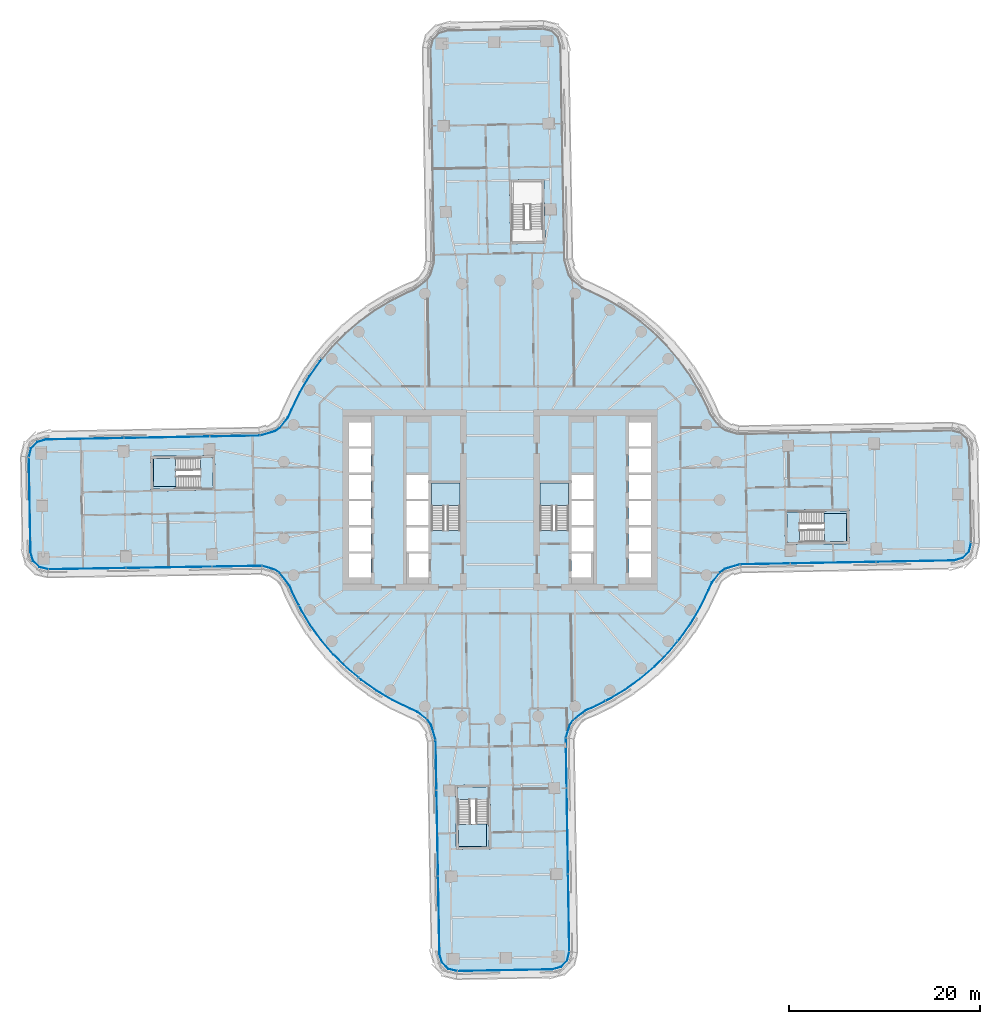
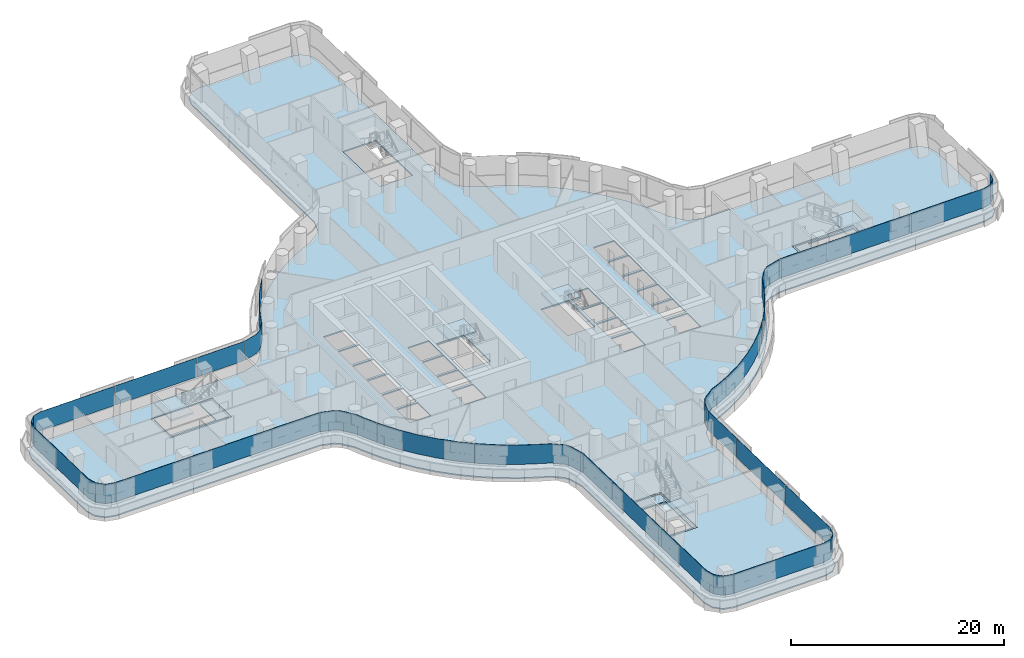
# One storey, part 17 of 31: 24 plates, 9 slabs, 15 elements without a shape of their own.
"""IFC4 building model written with IfcOpenShell, lengths in metres."""

from ifc_helpers import new_model, si_unit, direction, frame, origin, place, context, subcontext, project, spatial, polyline, outline, extrude, material, layer, layer_set, type_object, element, aggregate, save


model = new_model("IFC4")

# Units and contexts
model_context = context("Model", 3, precision=1e-05, world=origin(), true_north=direction((0.0, 1.0)))
body_context = subcontext(model_context, "Body", "Model", "MODEL_VIEW")
ifc_project = project(units=[si_unit("LENGTHUNIT", "METRE"), si_unit("AREAUNIT", "SQUARE_METRE"), si_unit("VOLUMEUNIT", "CUBIC_METRE"), si_unit("PLANEANGLEUNIT", "RADIAN"), si_unit("MASSUNIT", "GRAM", prefix="KILO")], contexts=[model_context])

# Site, building, storey
site_placement = place(None, origin())
site = spatial("IfcSite", under=ifc_project, at=site_placement, CompositionType="ELEMENT")
building_placement = place(site_placement, origin())
building = spatial("IfcBuilding", under=site, at=building_placement, Name="Tamarind Cross Interchange Tower", CompositionType="ELEMENT")
storey_placement = place(building_placement, frame((0.0, 0.0, 37.75)))
storey = spatial("IfcBuildingStorey", under=building, at=storey_placement, Name="L07", CompositionType="ELEMENT", Elevation=37.75)

# Slabs
ifc_material_1 = material(Name="Concrete C35", Category="concrete")
ifc_layer_1 = layer(ifc_material_1, 0.139892578125)
ifc_layer_set_1 = layer_set([ifc_layer_1], Name="Concrete C35")
slab_type_1 = type_object("IfcSlabType", Name="Composite slab 140 Concrete C35", PredefinedType="FLOOR", material=ifc_layer_set_1)
slab_1_placement = place(storey_placement, frame((0.0, 0.0, -0.139892578125)))
element("IfcSlab", 1, at=slab_1_placement, inside=storey, type_object=slab_type_1, Name="Floor slab L07", PredefinedType="FLOOR", context=body_context, shape_type="SweptSolid", body=[
    extrude(outline(polyline([(7.392333984375, 23.647705078125), (6.943359375, 25.173095703125), (6.53466796875, 47.576416015625), (6.24853515625, 48.5712890625), (5.50341796875, 49.289794921875), (4.49853515625, 49.53955078125), (-5.499755859375, 49.357177734375), (-6.49462890625, 49.071044921875), (-7.21337890625, 48.32568359375), (-7.462890625, 47.321044921875), (-7.1005859375, 24.94482421875), (-7.478271484375, 23.660888671875), (-7.8037109375, 23.1748046875), (-9.1083984375, 22.186279296875), (-9.7333984375, 21.93310546875), (-11.511474609375, 21.054443359375), (-13.2109375, 20.031982421875), (-14.820068359375, 18.87255859375), (-16.327880859375, 17.584228515625), (-17.72412109375, 16.17578125), (-18.99951171875, 14.656982421875), (-20.14501953125, 13.0380859375), (-21.15283203125, 11.329833984375), (-22.01611328125, 9.54443359375), (-22.376708984375, 8.73876953125), (-23.18115234375, 7.717529296875), (-23.647705078125, 7.392333984375), (-25.173095703125, 6.943359375), (-47.576416015625, 6.53466796875), (-48.5712890625, 6.24853515625), (-49.289794921875, 5.50341796875), (-49.53955078125, 4.49853515625), (-49.357177734375, -5.499755859375), (-49.071044921875, -6.49462890625), (-48.32568359375, -7.21337890625), (-47.321044921875, -7.462890625), (-24.94482421875, -7.1005859375), (-23.660888671875, -7.478271484375), (-23.1748046875, -7.8037109375), (-22.186279296875, -9.1083984375), (-21.93310546875, -9.7333984375), (-21.054443359375, -11.511474609375), (-20.031982421875, -13.2109375), (-18.87255859375, -14.820068359375), (-17.584228515625, -16.327880859375), (-16.17578125, -17.72412109375), (-14.656982421875, -18.99951171875), (-13.0380859375, -20.14501953125), (-11.329833984375, -21.15283203125), (-9.54443359375, -22.01611328125), (-8.73876953125, -22.376708984375), (-7.717529296875, -23.18115234375), (-7.392333984375, -23.647705078125), (-6.943359375, -25.173095703125), (-6.53466796875, -47.576416015625), (-6.24853515625, -48.5712890625), (-5.50341796875, -49.289794921875), (-4.49853515625, -49.53955078125), (5.499755859375, -49.357177734375), (6.49462890625, -49.071044921875), (7.21337890625, -48.32568359375), (7.462890625, -47.321044921875), (7.1005859375, -24.94482421875), (7.478271484375, -23.660888671875), (7.8037109375, -23.1748046875), (9.1083984375, -22.186279296875), (9.7333984375, -21.93310546875), (11.511474609375, -21.054443359375), (13.2109375, -20.031982421875), (14.820068359375, -18.87255859375), (16.327880859375, -17.584228515625), (17.72412109375, -16.17578125), (18.99951171875, -14.656982421875), (20.14501953125, -13.0380859375), (21.15283203125, -11.329833984375), (22.01611328125, -9.54443359375), (22.376708984375, -8.73876953125), (23.18115234375, -7.717529296875), (23.647705078125, -7.392333984375), (25.173095703125, -6.943359375), (47.576416015625, -6.53466796875), (48.5712890625, -6.24853515625), (49.289794921875, -5.50341796875), (49.53955078125, -4.49853515625), (49.357177734375, 5.499755859375), (49.071044921875, 6.49462890625), (48.32568359375, 7.21337890625), (47.321044921875, 7.462890625), (24.94482421875, 7.1005859375), (23.660888671875, 7.478271484375), (23.1748046875, 7.8037109375), (22.186279296875, 9.1083984375), (21.93310546875, 9.7333984375), (21.054443359375, 11.511474609375), (20.031982421875, 13.2109375), (18.87255859375, 14.820068359375), (17.584228515625, 16.327880859375), (16.17578125, 17.72412109375), (14.656982421875, 18.99951171875), (13.0380859375, 20.14501953125), (11.329833984375, 21.15283203125), (9.54443359375, 22.01611328125), (8.73876953125, 22.376708984375), (7.717529296875, 23.18115234375), (7.392333984375, 23.647705078125)]), holes=[polyline([(-13.5, -8.125), (-15.800048828125, -8.125), (-15.800048828125, -5.625), (-13.5, -5.625), (-13.5, -8.125)]), polyline([(-13.5, -5.375), (-15.800048828125, -5.375), (-15.800048828125, -2.875), (-13.5, -2.875), (-13.5, -5.375)]), polyline([(-7.5, -5.375), (-9.800048828125, -5.375), (-9.800048828125, -2.875), (-7.5, -2.875), (-7.5, -5.375)]), polyline([(-15.800048828125, -2.625), (-15.800048828125, -0.125), (-13.5, -0.125), (-13.5, -2.625), (-15.800048828125, -2.625)]), polyline([(-9.800048828125, -2.625), (-9.800048828125, -0.125), (-7.5, -0.125), (-7.5, -2.625), (-9.800048828125, -2.625)]), polyline([(-36.51953125, 0.935302734375), (-36.523193359375, 1.135498046875), (-36.58154296875, 4.334716796875), (-36.585205078125, 4.534912109375), (-36.300048828125, 4.5400390625), (-36.300048828125, 4.60009765625), (-33.01025390625, 4.60009765625), (-29.88623046875, 4.656982421875), (-29.882568359375, 4.45703125), (-29.82421875, 1.257568359375), (-29.820556640625, 1.0576171875), (-36.51953125, 0.935302734375)]), polyline([(-13.5, 0.125), (-15.800048828125, 0.125), (-15.800048828125, 2.625), (-13.5, 2.625), (-13.5, 0.125)]), polyline([(-7.5, 0.125), (-9.800048828125, 0.125), (-9.800048828125, 2.625), (-7.5, 2.625), (-7.5, 0.125)]), polyline([(-13.5, 2.875), (-15.800048828125, 2.875), (-15.800048828125, 5.375), (-13.5, 5.375), (-13.5, 2.875)]), polyline([(-15.800048828125, 5.625), (-15.800048828125, 8.125), (-13.5, 8.125), (-13.5, 5.625), (-15.800048828125, 5.625)]), polyline([(-0.935302734375, -36.51953125), (-1.135498046875, -36.523193359375), (-4.334716796875, -36.58154296875), (-4.534912109375, -36.585205078125), (-4.5400390625, -36.300048828125), (-4.60009765625, -36.300048828125), (-4.60009765625, -33.01025390625), (-4.656982421875, -29.88623046875), (-4.45703125, -29.882568359375), (-1.257568359375, -29.82421875), (-1.0576171875, -29.820556640625), (-0.935302734375, -36.51953125)]), polyline([(-9.800048828125, -8.125), (-9.800048828125, -5.625), (-7.5, -5.625), (-7.5, -8.125), (-9.800048828125, -8.125)]), polyline([(9.800048828125, -2.875), (9.800048828125, -5.375), (7.5, -5.375), (7.5, -2.875), (9.800048828125, -2.875)]), polyline([(-4.199951171875, 1.800048828125), (-4.199951171875, -3.18798828125), (-7.14990234375, -3.18798828125), (-7.14990234375, 1.800048828125), (-4.199951171875, 1.800048828125)]), polyline([(7.14990234375, 1.800048828125), (7.14990234375, -3.18798828125), (4.199951171875, -3.18798828125), (4.199951171875, 1.800048828125), (7.14990234375, 1.800048828125)]), polyline([(4.711669921875, 26.88671875), (4.51171875, 26.883056640625), (1.312255859375, 26.82470703125), (1.1123046875, 26.821044921875), (0.989990234375, 33.52001953125), (1.190185546875, 33.523681640625), (4.389404296875, 33.58203125), (4.589599609375, 33.585693359375), (4.5947265625, 33.300048828125), (4.60009765625, 33.300048828125), (4.60009765625, 33.01025390625), (4.711669921875, 26.88671875)]), polyline([(7.5, -5.625), (9.800048828125, -5.625), (9.800048828125, -8.125), (7.5, -8.125), (7.5, -5.625)]), polyline([(15.800048828125, -5.625), (15.800048828125, -8.125), (13.5, -8.125), (13.5, -5.625), (15.800048828125, -5.625)]), polyline([(33.01025390625, -4.60009765625), (29.88623046875, -4.656982421875), (29.882568359375, -4.45703125), (29.82421875, -1.257568359375), (29.820556640625, -1.0576171875), (36.51953125, -0.935302734375), (36.523193359375, -1.135498046875), (36.58154296875, -4.334716796875), (36.585205078125, -4.534912109375), (36.300048828125, -4.5400390625), (36.300048828125, -4.60009765625), (33.01025390625, -4.60009765625)]), polyline([(13.5, -2.875), (15.800048828125, -2.875), (15.800048828125, -5.375), (13.5, -5.375), (13.5, -2.875)]), polyline([(9.800048828125, -0.125), (9.800048828125, -2.625), (7.5, -2.625), (7.5, -0.125), (9.800048828125, -0.125)]), polyline([(13.5, -0.125), (15.800048828125, -0.125), (15.800048828125, -2.625), (13.5, -2.625), (13.5, -0.125)]), polyline([(9.800048828125, 2.625), (9.800048828125, 0.125), (7.5, 0.125), (7.5, 2.625), (9.800048828125, 2.625)]), polyline([(13.5, 2.625), (15.800048828125, 2.625), (15.800048828125, 0.125), (13.5, 0.125), (13.5, 2.625)]), polyline([(15.800048828125, 5.375), (15.800048828125, 2.875), (13.5, 2.875), (13.5, 5.375), (15.800048828125, 5.375)]), polyline([(15.800048828125, 8.125), (15.800048828125, 5.625), (13.5, 5.625), (13.5, 8.125), (15.800048828125, 8.125)])]), origin(), (0.0, 0.0, 1.0), 0.139892578125),
])
slab_2_placement = place(storey_placement, frame((0.0, 0.0, -0.139892578125)))
element("IfcSlab", 2, at=slab_2_placement, inside=storey, type_object=slab_type_1, Name="Floor slab L07", PredefinedType="FLOOR", context=body_context, shape_type="SweptSolid", body=[
    extrude(outline(polyline([(-36.300048828125, 1.39990234375), (-36.300048828125, 4.340087890625), (-36.381591796875, 4.33837890625), (-36.3232421875, 1.138916015625), (-30.024169921875, 1.25390625), (-30.08251953125, 4.453369140625), (-31.31201171875, 4.430908203125), (-31.394287109375, 4.429443359375), (-31.339111328125, 1.39990234375), (-36.300048828125, 1.39990234375)])), origin(), (0.0, 0.0, 1.0), 0.139892578125),
])
slab_3_placement = place(storey_placement, frame((0.0, 0.0, -0.139892578125)))
element("IfcSlab", 3, at=slab_3_placement, inside=storey, type_object=slab_type_1, Name="Floor slab L07", PredefinedType="FLOOR", context=body_context, shape_type="SweptSolid", body=[
    extrude(outline(polyline([(-4.33837890625, -36.381591796875), (-1.138916015625, -36.3232421875), (-1.25390625, -30.024169921875), (-4.453369140625, -30.08251953125), (-4.430908203125, -31.31201171875), (-4.429443359375, -31.394287109375), (-1.39990234375, -31.339111328125), (-1.39990234375, -36.300048828125), (-4.340087890625, -36.300048828125), (-4.33837890625, -36.381591796875)])), origin(), (0.0, 0.0, 1.0), 0.139892578125),
])
slab_4_placement = place(storey_placement, frame((0.0, 0.0, -0.139892578125)))
element("IfcSlab", 4, at=slab_4_placement, inside=storey, type_object=slab_type_1, Name="Floor slab L07", PredefinedType="FLOOR", context=body_context, shape_type="SweptSolid", body=[
    extrude(outline(polyline([(36.300048828125, -1.39990234375), (36.300048828125, -4.340087890625), (36.381591796875, -4.33837890625), (36.3232421875, -1.138916015625), (30.024169921875, -1.25390625), (30.08251953125, -4.453369140625), (31.31201171875, -4.430908203125), (31.394287109375, -4.429443359375), (31.339111328125, -1.39990234375), (36.300048828125, -1.39990234375)])), origin(), (0.0, 0.0, 1.0), 0.139892578125),
])

# Stair, slab
ifc_material_2 = material(Name="Exit stair")
stair_type = type_object("IfcStairType", Name="Exit stair", PredefinedType="HALF_TURN_STAIR", material=ifc_material_2)
stair_1_placement = place(storey_placement, origin())
stair_1 = element("IfcStair", 5, at=stair_1_placement, inside=storey, type_object=stair_type, Name="L07 exit stair ST1", PredefinedType="HALF_TURN_STAIR")
ifc_material_3 = material(Name="Concrete C40", Category="concrete")
ifc_layer_2 = layer(ifc_material_3, 0.199951171875)
ifc_layer_set_2 = layer_set([ifc_layer_2], Name="Concrete C40")
slab_type_2 = type_object("IfcSlabType", Name="Stair landing", PredefinedType="LANDING", material=ifc_layer_set_2)
slab_5_placement = place(storey_placement, frame((0.0, 0.0, 1.675048828125)))
slab_5 = element("IfcSlab", 6, at=slab_5_placement, type_object=slab_type_2, Name="ST1 landing 1", PredefinedType="LANDING", context=body_context, shape_type="SweptSolid", body=[
    extrude(outline(polyline([(-4.199951171875, -0.60009765625), (-4.199951171875, 1.800048828125), (-7.14990234375, 1.800048828125), (-7.14990234375, -0.60009765625), (-4.199951171875, -0.60009765625)])), origin(), (0.0, 0.0, 1.0), 0.199951171875),
])
aggregate(stair_1, [slab_5])

stair_2_placement = place(storey_placement, origin())
stair_2 = element("IfcStair", 7, at=stair_2_placement, inside=storey, type_object=stair_type, Name="L07 exit stair ST2", PredefinedType="HALF_TURN_STAIR")
slab_6_placement = place(storey_placement, frame((0.0, 0.0, 1.675048828125)))
slab_6 = element("IfcSlab", 8, at=slab_6_placement, type_object=slab_type_2, Name="ST2 landing 1", PredefinedType="LANDING", context=body_context, shape_type="SweptSolid", body=[
    extrude(outline(polyline([(7.14990234375, -0.60009765625), (7.14990234375, 1.800048828125), (4.199951171875, 1.800048828125), (4.199951171875, -0.60009765625), (7.14990234375, -0.60009765625)])), origin(), (0.0, 0.0, 1.0), 0.199951171875),
])
aggregate(stair_2, [slab_6])

stair_3_placement = place(storey_placement, origin())
stair_3 = element("IfcStair", 9, at=stair_3_placement, inside=storey, type_object=stair_type, Name="L07 exit stair ST3", PredefinedType="HALF_TURN_STAIR")
slab_7_placement = place(storey_placement, frame((0.0, 0.0, 1.675048828125)))
slab_7 = element("IfcSlab", 10, at=slab_7_placement, type_object=slab_type_2, Name="ST3 landing 1", PredefinedType="LANDING", context=body_context, shape_type="SweptSolid", body=[
    extrude(outline(polyline([(33.969970703125, -4.382568359375), (36.381591796875, -4.33837890625), (36.3232421875, -1.138916015625), (33.91162109375, -1.18310546875), (33.969970703125, -4.382568359375)])), origin(), (0.0, 0.0, 1.0), 0.199951171875),
])
aggregate(stair_3, [slab_7])

stair_4_placement = place(storey_placement, origin())
stair_4 = element("IfcStair", 11, at=stair_4_placement, inside=storey, type_object=stair_type, Name="L07 exit stair ST5", PredefinedType="HALF_TURN_STAIR")
slab_8_placement = place(storey_placement, frame((0.0, 0.0, 1.675048828125)))
slab_8 = element("IfcSlab", 12, at=slab_8_placement, type_object=slab_type_2, Name="ST5 landing 1", PredefinedType="LANDING", context=body_context, shape_type="SweptSolid", body=[
    extrude(outline(polyline([(-33.969970703125, 4.382568359375), (-36.381591796875, 4.33837890625), (-36.3232421875, 1.138916015625), (-33.91162109375, 1.18310546875), (-33.969970703125, 4.382568359375)])), origin(), (0.0, 0.0, 1.0), 0.199951171875),
])
aggregate(stair_4, [slab_8])

stair_5_placement = place(storey_placement, origin())
stair_5 = element("IfcStair", 13, at=stair_5_placement, inside=storey, type_object=stair_type, Name="L07 exit stair ST6", PredefinedType="HALF_TURN_STAIR")
slab_9_placement = place(storey_placement, frame((0.0, 0.0, 1.675048828125)))
slab_9 = element("IfcSlab", 14, at=slab_9_placement, type_object=slab_type_2, Name="ST6 landing 1", PredefinedType="LANDING", context=body_context, shape_type="SweptSolid", body=[
    extrude(outline(polyline([(-4.382568359375, -33.969970703125), (-4.33837890625, -36.381591796875), (-1.138916015625, -36.3232421875), (-1.18310546875, -33.91162109375), (-4.382568359375, -33.969970703125)])), origin(), (0.0, 0.0, 1.0), 0.199951171875),
])
aggregate(stair_5, [slab_9])

# Curtain wall, plate
ifc_material_4 = material(Name="Aluminium 6063-T6", Category="aluminium")
ifc_layer_3 = layer(ifc_material_4, 0.159912109375)
ifc_layer_set_3 = layer_set([ifc_layer_3], Name="Aluminium 6063-T6")
curtain_wall_type = type_object("IfcCurtainWallType", Name="Office curtain wall, 9.0 m bays", PredefinedType="NOTDEFINED", material=ifc_layer_set_3)
curtain_wall_1_placement = place(storey_placement, origin())
curtain_wall_1 = element("IfcCurtainWall", 15, at=curtain_wall_1_placement, inside=storey, type_object=curtain_wall_type, Name="CWS-L07-02", PredefinedType="NOTDEFINED")
ifc_material_5 = material(Name="Laminated low-e glass 8+1.52+8", Category="glass")
ifc_layer_4 = layer(ifc_material_5, 0.028076171875)
ifc_layer_set_4 = layer_set([ifc_layer_4], Name="Laminated low-e glass 8+1.52+8")
plate_type = type_object("IfcPlateType", Name="Vision panel CW1", PredefinedType="CURTAIN_PANEL", material=ifc_layer_set_4)
plate_1_placement = place(storey_placement, frame((0.0, 0.0, 1.39990234375)))
plate_1 = element("IfcPlate", 16, at=plate_1_placement, type_object=plate_type, Name="CWP-L07-02-02", PredefinedType="CURTAIN_PANEL", context=body_context, shape_type="SweptSolid", body=[
    extrude(outline(polyline([(-18.639892578125, 14.75244140625), (-18.829833984375, 14.526123046875), (-19.965087890625, 12.921630859375), (-20.9638671875, 11.228759765625), (-21.822021484375, 9.4541015625), (-22.192138671875, 8.627197265625), (-23.03271484375, 7.56005859375), (-23.553955078125, 7.19677734375), (-25.109619140625, 6.73876953125), (-25.11767578125, 6.765625), (-23.56640625, 7.222412109375), (-23.052001953125, 7.580810546875), (-22.21630859375, 8.641845703125), (-21.847412109375, 9.4658203125), (-20.98876953125, 11.241943359375), (-19.988525390625, 12.936767578125), (-18.85205078125, 14.543212890625), (-18.6611328125, 14.7705078125), (-18.639892578125, 14.75244140625)])), origin(), (0.0, 0.0, 1.0), 2.210205078125),
])
aggregate(curtain_wall_1, [plate_1])

# Curtain wall, plates
curtain_wall_2_placement = place(storey_placement, origin())
curtain_wall_2 = element("IfcCurtainWall", 17, at=curtain_wall_2_placement, inside=storey, type_object=curtain_wall_type, Name="CWS-L07-03", PredefinedType="NOTDEFINED")
plate_2_placement = place(storey_placement, frame((0.0, 0.0, 1.39990234375)))
plate_2 = element("IfcPlate", 18, at=plate_2_placement, type_object=plate_type, Name="CWP-L07-03-00", PredefinedType="CURTAIN_PANEL", context=body_context, shape_type="SweptSolid", body=[
    extrude(outline(polyline([(-25.172119140625, 6.729248046875), (-30.365478515625, 6.634521484375), (-30.365966796875, 6.66259765625), (-25.172607421875, 6.75732421875), (-25.172119140625, 6.729248046875)])), origin(), (0.0, 0.0, 1.0), 2.210205078125),
])
plate_3_placement = place(storey_placement, frame((0.0, 0.0, 1.39990234375)))
plate_3 = element("IfcPlate", 19, at=plate_3_placement, type_object=plate_type, Name="CWP-L07-03-01", PredefinedType="CURTAIN_PANEL", context=body_context, shape_type="SweptSolid", body=[
    extrude(outline(polyline([(-30.425537109375, 6.633544921875), (-39.3642578125, 6.470458984375), (-39.36474609375, 6.49853515625), (-30.426025390625, 6.661376953125), (-30.425537109375, 6.633544921875)])), origin(), (0.0, 0.0, 1.0), 2.210205078125),
])
plate_4_placement = place(storey_placement, frame((0.0, 0.0, 1.39990234375)))
plate_4 = element("IfcPlate", 20, at=plate_4_placement, type_object=plate_type, Name="CWP-L07-03-02", PredefinedType="CURTAIN_PANEL", context=body_context, shape_type="SweptSolid", body=[
    extrude(outline(polyline([(-39.42431640625, 6.46923828125), (-47.544189453125, 6.3212890625), (-48.45703125, 6.058837890625), (-49.095947265625, 5.39599609375), (-49.318115234375, 4.501708984375), (-49.345458984375, 4.50830078125), (-49.121337890625, 5.41015625), (-48.471923828125, 6.08349609375), (-47.54833984375, 6.34912109375), (-39.4248046875, 6.497314453125), (-39.42431640625, 6.46923828125)])), origin(), (0.0, 0.0, 1.0), 2.210205078125),
])
aggregate(curtain_wall_2, [plate_2, plate_3, plate_4])

# Curtain wall, plate
curtain_wall_3_placement = place(storey_placement, origin())
curtain_wall_3 = element("IfcCurtainWall", 21, at=curtain_wall_3_placement, inside=storey, type_object=curtain_wall_type, Name="CWS-L07-04", PredefinedType="NOTDEFINED")
plate_5_placement = place(storey_placement, frame((0.0, 0.0, 1.39990234375)))
plate_5 = element("IfcPlate", 22, at=plate_5_placement, type_object=plate_type, Name="CWP-L07-04-00", PredefinedType="CURTAIN_PANEL", context=body_context, shape_type="SweptSolid", body=[
    extrude(outline(polyline([(-49.324462890625, 4.4462890625), (-49.1435546875, -5.4677734375), (-48.881103515625, -6.38037109375), (-48.218505859375, -7.01953125), (-47.32373046875, -7.24169921875), (-47.33056640625, -7.268798828125), (-48.232421875, -7.044677734375), (-48.906005859375, -6.3955078125), (-49.171630859375, -5.471923828125), (-49.3525390625, 4.445556640625), (-49.324462890625, 4.4462890625)])), origin(), (0.0, 0.0, 1.0), 2.210205078125),
])
aggregate(curtain_wall_3, [plate_5])

# Curtain wall, plates
curtain_wall_4_placement = place(storey_placement, origin())
curtain_wall_4 = element("IfcCurtainWall", 23, at=curtain_wall_4_placement, inside=storey, type_object=curtain_wall_type, Name="CWS-L07-05", PredefinedType="NOTDEFINED")
plate_6_placement = place(storey_placement, frame((0.0, 0.0, 1.39990234375)))
plate_6 = element("IfcPlate", 24, at=plate_6_placement, type_object=plate_type, Name="CWP-L07-05-00", PredefinedType="CURTAIN_PANEL", context=body_context, shape_type="SweptSolid", body=[
    extrude(outline(polyline([(-47.268310546875, -7.248046875), (-39.175048828125, -7.116943359375), (-39.174560546875, -7.14501953125), (-47.267822265625, -7.276123046875), (-47.268310546875, -7.248046875)])), origin(), (0.0, 0.0, 1.0), 2.210205078125),
])
plate_7_placement = place(storey_placement, frame((0.0, 0.0, 1.39990234375)))
plate_7 = element("IfcPlate", 25, at=plate_7_placement, type_object=plate_type, Name="CWP-L07-05-01", PredefinedType="CURTAIN_PANEL", context=body_context, shape_type="SweptSolid", body=[
    extrude(outline(polyline([(-39.114990234375, -7.115966796875), (-30.174560546875, -6.97119140625), (-30.174072265625, -6.999267578125), (-39.114501953125, -7.14404296875), (-39.114990234375, -7.115966796875)])), origin(), (0.0, 0.0, 1.0), 2.210205078125),
])
plate_8_placement = place(storey_placement, frame((0.0, 0.0, 1.39990234375)))
plate_8 = element("IfcPlate", 26, at=plate_8_placement, type_object=plate_type, Name="CWP-L07-05-02", PredefinedType="CURTAIN_PANEL", context=body_context, shape_type="SweptSolid", body=[
    extrude(outline(polyline([(-30.114501953125, -6.97021484375), (-24.947998046875, -6.886474609375), (-24.947509765625, -6.91455078125), (-30.114013671875, -6.998291015625), (-30.114501953125, -6.97021484375)])), origin(), (0.0, 0.0, 1.0), 2.210205078125),
])
aggregate(curtain_wall_4, [plate_6, plate_7, plate_8])

curtain_wall_5_placement = place(storey_placement, origin())
curtain_wall_5 = element("IfcCurtainWall", 27, at=curtain_wall_5_placement, inside=storey, type_object=curtain_wall_type, Name="CWS-L07-06", PredefinedType="NOTDEFINED")
plate_9_placement = place(storey_placement, frame((0.0, 0.0, 1.39990234375)))
plate_9 = element("IfcPlate", 28, at=plate_9_placement, type_object=plate_type, Name="CWP-L07-06-00", PredefinedType="CURTAIN_PANEL", context=body_context, shape_type="SweptSolid", body=[
    extrude(outline(polyline([(-24.885009765625, -6.89501953125), (-23.56884765625, -7.281982421875), (-23.02587890625, -7.64599609375), (-21.99853515625, -9.001953125), (-21.73779296875, -9.645751953125), (-21.0458984375, -11.045654296875), (-21.071044921875, -11.05810546875), (-21.763427734375, -9.6572265625), (-22.02294921875, -9.015869140625), (-23.04541015625, -7.66650390625), (-23.5810546875, -7.307861328125), (-24.892822265625, -6.921875), (-24.885009765625, -6.89501953125)])), origin(), (0.0, 0.0, 1.0), 2.210205078125),
])
plate_10_placement = place(storey_placement, frame((0.0, 0.0, 1.39990234375)))
plate_10 = element("IfcPlate", 29, at=plate_10_placement, type_object=plate_type, Name="CWP-L07-06-01", PredefinedType="CURTAIN_PANEL", context=body_context, shape_type="SweptSolid", body=[
    extrude(outline(polyline([(-21.019287109375, -11.099365234375), (-20.866455078125, -11.40869140625), (-19.85302734375, -13.093017578125), (-18.7041015625, -14.687744140625), (-17.42724609375, -16.18212890625), (-16.031494140625, -17.56591796875), (-14.798583984375, -18.601318359375), (-14.81640625, -18.62255859375), (-16.05029296875, -17.586669921875), (-17.44775390625, -16.201171875), (-18.72607421875, -14.705078125), (-19.87646484375, -13.1083984375), (-20.89111328125, -11.422119140625), (-21.04443359375, -11.11181640625), (-21.019287109375, -11.099365234375)])), origin(), (0.0, 0.0, 1.0), 2.210205078125),
])
plate_11_placement = place(storey_placement, frame((0.0, 0.0, 1.39990234375)))
plate_11 = element("IfcPlate", 30, at=plate_11_placement, type_object=plate_type, Name="CWP-L07-06-02", PredefinedType="CURTAIN_PANEL", context=body_context, shape_type="SweptSolid", body=[
    extrude(outline(polyline([(-14.75244140625, -18.639892578125), (-14.526123046875, -18.829833984375), (-12.921630859375, -19.965087890625), (-11.228759765625, -20.9638671875), (-9.4541015625, -21.822021484375), (-8.627197265625, -22.192138671875), (-7.56005859375, -23.03271484375), (-7.19677734375, -23.553955078125), (-6.73876953125, -25.109619140625), (-6.765625, -25.11767578125), (-7.222412109375, -23.56640625), (-7.580810546875, -23.052001953125), (-8.641845703125, -22.21630859375), (-9.4658203125, -21.847412109375), (-11.241943359375, -20.98876953125), (-12.936767578125, -19.988525390625), (-14.543212890625, -18.85205078125), (-14.7705078125, -18.6611328125), (-14.75244140625, -18.639892578125)])), origin(), (0.0, 0.0, 1.0), 2.210205078125),
])
aggregate(curtain_wall_5, [plate_9, plate_10, plate_11])

curtain_wall_6_placement = place(storey_placement, origin())
curtain_wall_6 = element("IfcCurtainWall", 31, at=curtain_wall_6_placement, inside=storey, type_object=curtain_wall_type, Name="CWS-L07-07", PredefinedType="NOTDEFINED")
plate_12_placement = place(storey_placement, frame((0.0, 0.0, 1.39990234375)))
plate_12 = element("IfcPlate", 32, at=plate_12_placement, type_object=plate_type, Name="CWP-L07-07-00", PredefinedType="CURTAIN_PANEL", context=body_context, shape_type="SweptSolid", body=[
    extrude(outline(polyline([(-6.729248046875, -25.172119140625), (-6.634521484375, -30.365478515625), (-6.66259765625, -30.365966796875), (-6.75732421875, -25.172607421875), (-6.729248046875, -25.172119140625)])), origin(), (0.0, 0.0, 1.0), 2.210205078125),
])
plate_13_placement = place(storey_placement, frame((0.0, 0.0, 1.39990234375)))
plate_13 = element("IfcPlate", 33, at=plate_13_placement, type_object=plate_type, Name="CWP-L07-07-01", PredefinedType="CURTAIN_PANEL", context=body_context, shape_type="SweptSolid", body=[
    extrude(outline(polyline([(-6.633544921875, -30.425537109375), (-6.470458984375, -39.3642578125), (-6.49853515625, -39.36474609375), (-6.661376953125, -30.426025390625), (-6.633544921875, -30.425537109375)])), origin(), (0.0, 0.0, 1.0), 2.210205078125),
])
plate_14_placement = place(storey_placement, frame((0.0, 0.0, 1.39990234375)))
plate_14 = element("IfcPlate", 34, at=plate_14_placement, type_object=plate_type, Name="CWP-L07-07-02", PredefinedType="CURTAIN_PANEL", context=body_context, shape_type="SweptSolid", body=[
    extrude(outline(polyline([(-6.46923828125, -39.42431640625), (-6.3212890625, -47.544189453125), (-6.058837890625, -48.45703125), (-5.39599609375, -49.095947265625), (-4.501708984375, -49.318115234375), (-4.50830078125, -49.345458984375), (-5.41015625, -49.121337890625), (-6.08349609375, -48.471923828125), (-6.34912109375, -47.54833984375), (-6.497314453125, -39.4248046875), (-6.46923828125, -39.42431640625)])), origin(), (0.0, 0.0, 1.0), 2.210205078125),
])
aggregate(curtain_wall_6, [plate_12, plate_13, plate_14])

# Curtain wall, plate
curtain_wall_7_placement = place(storey_placement, origin())
curtain_wall_7 = element("IfcCurtainWall", 35, at=curtain_wall_7_placement, inside=storey, type_object=curtain_wall_type, Name="CWS-L07-08", PredefinedType="NOTDEFINED")
plate_15_placement = place(storey_placement, frame((0.0, 0.0, 1.39990234375)))
plate_15 = element("IfcPlate", 36, at=plate_15_placement, type_object=plate_type, Name="CWP-L07-08-00", PredefinedType="CURTAIN_PANEL", context=body_context, shape_type="SweptSolid", body=[
    extrude(outline(polyline([(-4.4462890625, -49.324462890625), (5.4677734375, -49.1435546875), (6.38037109375, -48.881103515625), (7.01953125, -48.218505859375), (7.24169921875, -47.32373046875), (7.268798828125, -47.33056640625), (7.044677734375, -48.232421875), (6.3955078125, -48.906005859375), (5.471923828125, -49.171630859375), (-4.445556640625, -49.3525390625), (-4.4462890625, -49.324462890625)])), origin(), (0.0, 0.0, 1.0), 2.210205078125),
])
aggregate(curtain_wall_7, [plate_15])

# Curtain wall, plates
curtain_wall_8_placement = place(storey_placement, origin())
curtain_wall_8 = element("IfcCurtainWall", 37, at=curtain_wall_8_placement, inside=storey, type_object=curtain_wall_type, Name="CWS-L07-09", PredefinedType="NOTDEFINED")
plate_16_placement = place(storey_placement, frame((0.0, 0.0, 1.39990234375)))
plate_16 = element("IfcPlate", 38, at=plate_16_placement, type_object=plate_type, Name="CWP-L07-09-00", PredefinedType="CURTAIN_PANEL", context=body_context, shape_type="SweptSolid", body=[
    extrude(outline(polyline([(7.248046875, -47.268310546875), (7.116943359375, -39.175048828125), (7.14501953125, -39.174560546875), (7.276123046875, -47.267822265625), (7.248046875, -47.268310546875)])), origin(), (0.0, 0.0, 1.0), 2.210205078125),
])
plate_17_placement = place(storey_placement, frame((0.0, 0.0, 1.39990234375)))
plate_17 = element("IfcPlate", 39, at=plate_17_placement, type_object=plate_type, Name="CWP-L07-09-01", PredefinedType="CURTAIN_PANEL", context=body_context, shape_type="SweptSolid", body=[
    extrude(outline(polyline([(7.115966796875, -39.114990234375), (6.97119140625, -30.174560546875), (6.999267578125, -30.174072265625), (7.14404296875, -39.114501953125), (7.115966796875, -39.114990234375)])), origin(), (0.0, 0.0, 1.0), 2.210205078125),
])
plate_18_placement = place(storey_placement, frame((0.0, 0.0, 1.39990234375)))
plate_18 = element("IfcPlate", 40, at=plate_18_placement, type_object=plate_type, Name="CWP-L07-09-02", PredefinedType="CURTAIN_PANEL", context=body_context, shape_type="SweptSolid", body=[
    extrude(outline(polyline([(6.97021484375, -30.114501953125), (6.886474609375, -24.947998046875), (6.91455078125, -24.947509765625), (6.998291015625, -30.114013671875), (6.97021484375, -30.114501953125)])), origin(), (0.0, 0.0, 1.0), 2.210205078125),
])
aggregate(curtain_wall_8, [plate_16, plate_17, plate_18])

curtain_wall_9_placement = place(storey_placement, origin())
curtain_wall_9 = element("IfcCurtainWall", 41, at=curtain_wall_9_placement, inside=storey, type_object=curtain_wall_type, Name="CWS-L07-10", PredefinedType="NOTDEFINED")
plate_19_placement = place(storey_placement, frame((0.0, 0.0, 1.39990234375)))
plate_19 = element("IfcPlate", 42, at=plate_19_placement, type_object=plate_type, Name="CWP-L07-10-00", PredefinedType="CURTAIN_PANEL", context=body_context, shape_type="SweptSolid", body=[
    extrude(outline(polyline([(6.89501953125, -24.885009765625), (7.281982421875, -23.56884765625), (7.64599609375, -23.02587890625), (9.001953125, -21.99853515625), (9.645751953125, -21.73779296875), (11.045654296875, -21.0458984375), (11.05810546875, -21.071044921875), (9.6572265625, -21.763427734375), (9.015869140625, -22.02294921875), (7.66650390625, -23.04541015625), (7.307861328125, -23.5810546875), (6.921875, -24.892822265625), (6.89501953125, -24.885009765625)])), origin(), (0.0, 0.0, 1.0), 2.210205078125),
])
plate_20_placement = place(storey_placement, frame((0.0, 0.0, 1.39990234375)))
plate_20 = element("IfcPlate", 43, at=plate_20_placement, type_object=plate_type, Name="CWP-L07-10-01", PredefinedType="CURTAIN_PANEL", context=body_context, shape_type="SweptSolid", body=[
    extrude(outline(polyline([(11.099365234375, -21.019287109375), (11.40869140625, -20.866455078125), (13.093017578125, -19.85302734375), (14.687744140625, -18.7041015625), (16.18212890625, -17.42724609375), (17.56591796875, -16.031494140625), (18.601318359375, -14.798583984375), (18.62255859375, -14.81640625), (17.586669921875, -16.05029296875), (16.201171875, -17.44775390625), (14.705078125, -18.72607421875), (13.1083984375, -19.87646484375), (11.422119140625, -20.89111328125), (11.11181640625, -21.04443359375), (11.099365234375, -21.019287109375)])), origin(), (0.0, 0.0, 1.0), 2.210205078125),
])
plate_21_placement = place(storey_placement, frame((0.0, 0.0, 1.39990234375)))
plate_21 = element("IfcPlate", 44, at=plate_21_placement, type_object=plate_type, Name="CWP-L07-10-02", PredefinedType="CURTAIN_PANEL", context=body_context, shape_type="SweptSolid", body=[
    extrude(outline(polyline([(18.639892578125, -14.75244140625), (18.829833984375, -14.526123046875), (19.965087890625, -12.921630859375), (20.9638671875, -11.228759765625), (21.822021484375, -9.4541015625), (22.192138671875, -8.627197265625), (23.03271484375, -7.56005859375), (23.553955078125, -7.19677734375), (25.109619140625, -6.73876953125), (25.11767578125, -6.765625), (23.56640625, -7.222412109375), (23.052001953125, -7.580810546875), (22.21630859375, -8.641845703125), (21.847412109375, -9.4658203125), (20.98876953125, -11.241943359375), (19.988525390625, -12.936767578125), (18.85205078125, -14.543212890625), (18.6611328125, -14.7705078125), (18.639892578125, -14.75244140625)])), origin(), (0.0, 0.0, 1.0), 2.210205078125),
])
aggregate(curtain_wall_9, [plate_19, plate_20, plate_21])

curtain_wall_10_placement = place(storey_placement, origin())
curtain_wall_10 = element("IfcCurtainWall", 45, at=curtain_wall_10_placement, inside=storey, type_object=curtain_wall_type, Name="CWS-L07-11", PredefinedType="NOTDEFINED")
plate_22_placement = place(storey_placement, frame((0.0, 0.0, 1.39990234375)))
plate_22 = element("IfcPlate", 46, at=plate_22_placement, type_object=plate_type, Name="CWP-L07-11-00", PredefinedType="CURTAIN_PANEL", context=body_context, shape_type="SweptSolid", body=[
    extrude(outline(polyline([(25.172119140625, -6.729248046875), (30.365478515625, -6.634521484375), (30.365966796875, -6.66259765625), (25.172607421875, -6.75732421875), (25.172119140625, -6.729248046875)])), origin(), (0.0, 0.0, 1.0), 2.210205078125),
])
plate_23_placement = place(storey_placement, frame((0.0, 0.0, 1.39990234375)))
plate_23 = element("IfcPlate", 47, at=plate_23_placement, type_object=plate_type, Name="CWP-L07-11-01", PredefinedType="CURTAIN_PANEL", context=body_context, shape_type="SweptSolid", body=[
    extrude(outline(polyline([(30.425537109375, -6.633544921875), (39.3642578125, -6.470458984375), (39.36474609375, -6.49853515625), (30.426025390625, -6.661376953125), (30.425537109375, -6.633544921875)])), origin(), (0.0, 0.0, 1.0), 2.210205078125),
])
plate_24_placement = place(storey_placement, frame((0.0, 0.0, 1.39990234375)))
plate_24 = element("IfcPlate", 48, at=plate_24_placement, type_object=plate_type, Name="CWP-L07-11-02", PredefinedType="CURTAIN_PANEL", context=body_context, shape_type="SweptSolid", body=[
    extrude(outline(polyline([(39.42431640625, -6.46923828125), (47.544189453125, -6.3212890625), (48.45703125, -6.058837890625), (49.095947265625, -5.39599609375), (49.318115234375, -4.501708984375), (49.345458984375, -4.50830078125), (49.121337890625, -5.41015625), (48.471923828125, -6.08349609375), (47.54833984375, -6.34912109375), (39.4248046875, -6.497314453125), (39.42431640625, -6.46923828125)])), origin(), (0.0, 0.0, 1.0), 2.210205078125),
])
aggregate(curtain_wall_10, [plate_22, plate_23, plate_24])

save(model, "model.ifc")
